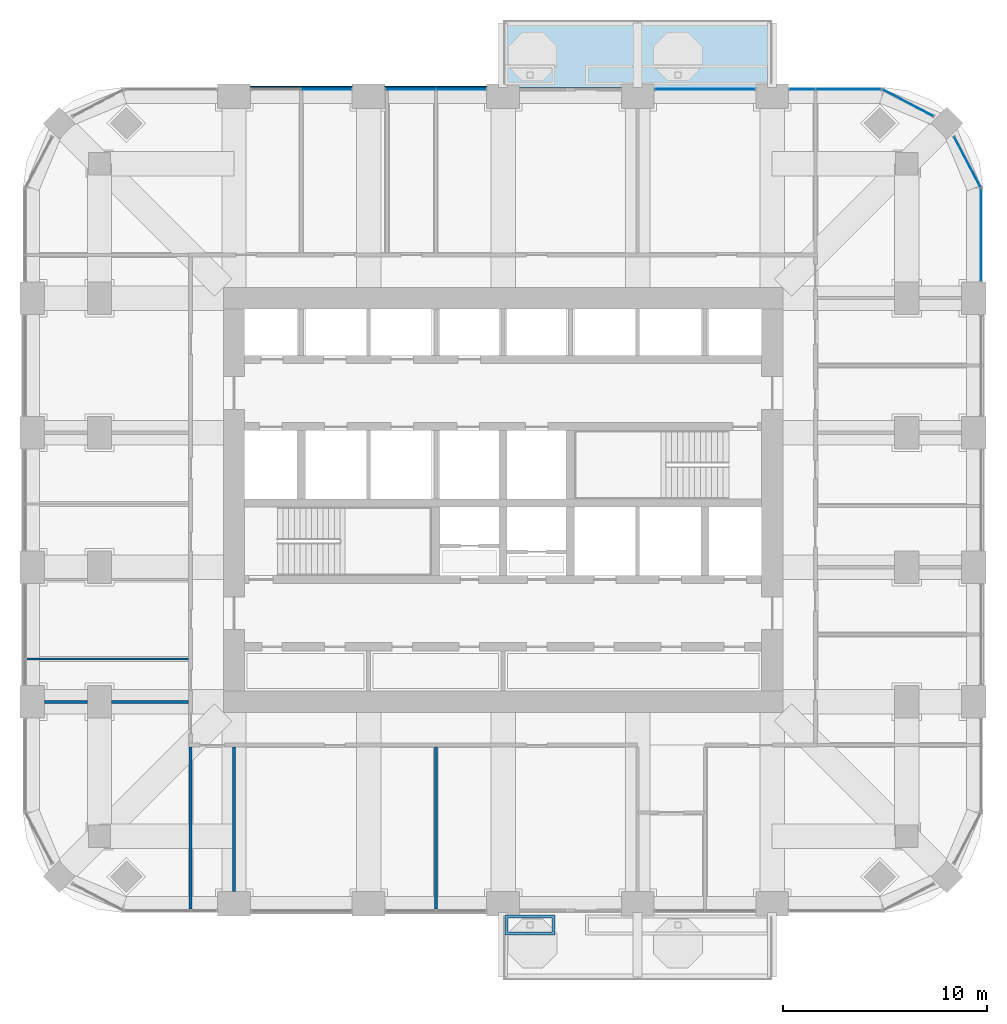
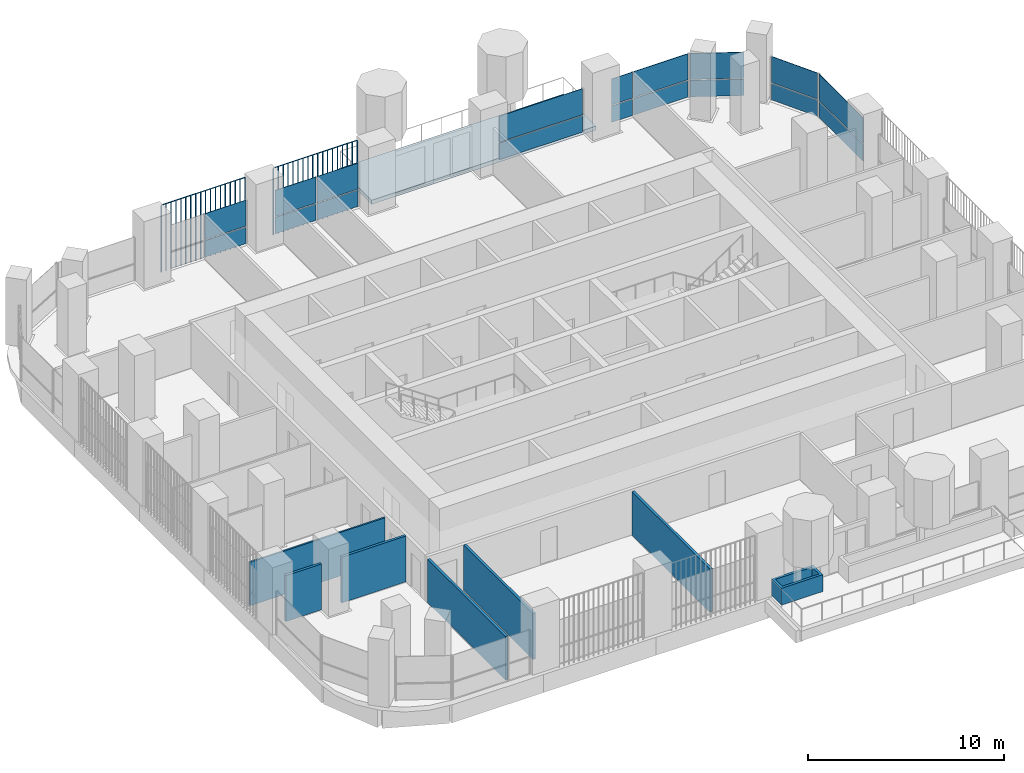
# One storey, part 12 of 20: 20 plates, 7 walls, 1 slab, 7 elements without a shape of their own.
"""IFC4 building model written with IfcOpenShell, lengths in metres."""

from ifc_helpers import new_model, si_unit, direction, frame, frame_2d, origin, origin_2d, place, context, subcontext, project, spatial, polyline, rectangle, outline, extrude, material, layer, layer_set, type_object, element, aggregate, save


model = new_model("IFC4")

# Units and contexts
model_context = context("Model", 3, precision=1e-05, world=origin(), true_north=direction((0.0, 1.0)))
body_context = subcontext(model_context, "Body", "Model", "MODEL_VIEW")
ifc_project = project(units=[si_unit("LENGTHUNIT", "METRE"), si_unit("AREAUNIT", "SQUARE_METRE"), si_unit("VOLUMEUNIT", "CUBIC_METRE"), si_unit("PLANEANGLEUNIT", "RADIAN"), si_unit("MASSUNIT", "GRAM", prefix="KILO")], contexts=[model_context])

# Site, building, storey
site_placement = place(None, origin())
site = spatial("IfcSite", under=ifc_project, at=site_placement, CompositionType="ELEMENT")
building_placement = place(site_placement, origin())
building = spatial("IfcBuilding", under=site, at=building_placement, Name="Cobogo Forest Laboratory Tower", CompositionType="ELEMENT")
storey_placement = place(building_placement, frame((0.0, 0.0, 180.89990234375)))
storey = spatial("IfcBuildingStorey", under=building, at=storey_placement, Name="L41", CompositionType="ELEMENT", Elevation=180.89990234375)

# Slab
ifc_material_1 = material(Name="Concrete HA-40 (C40/50)", Category="concrete")
ifc_layer_1 = layer(ifc_material_1, 0.25)
ifc_layer_set_1 = layer_set([ifc_layer_1], Name="Balcony slab 250")
slab_type = type_object("IfcSlabType", Name="Balcony slab 250", PredefinedType="FLOOR", material=ifc_layer_set_1)
slab_placement = place(storey_placement, frame((0.0, 0.0, -0.25)))
element("IfcSlab", 1, at=slab_placement, inside=storey, type_object=slab_type, Name="Balcony BAL-N1 L41", PredefinedType="FLOOR", context=body_context, shape_type="SweptSolid", body=[
    extrude(outline(polyline([(26.39990234375, 43.35009765625), (39.60009765625, 43.35009765625), (39.60009765625, 46.64990234375), (26.39990234375, 46.64990234375), (26.39990234375, 43.35009765625)])), origin(), (0.0, 0.0, 1.0), 0.25),
])

# Curtain wall, plates
ifc_material_2 = material(Name="Aluminium curtain wall", Category="aluminium")
curtain_wall_type = type_object("IfcCurtainWallType", Name="CW-2 unitised curtain wall, solar control glazing, laboratory floors zones C and D", PredefinedType="USERDEFINED", material=ifc_material_2)
curtain_wall_1_placement = place(storey_placement, origin())
curtain_wall_1 = element("IfcCurtainWall", 2, at=curtain_wall_1_placement, inside=storey, type_object=curtain_wall_type, Name="Curtain wall 13 L41", ObjectType="UNITISED CURTAIN WALL", PredefinedType="USERDEFINED")
ifc_material_3 = material(Name="Solar control insulated glass", Category="glass")
ifc_layer_2 = layer(ifc_material_3, 0.031982421875)
ifc_layer_set_2 = layer_set([ifc_layer_2], Name="GP-2 solar control glass unit 32")
plate_type_1 = type_object("IfcPlateType", Name="GP-2 solar control glass unit 32", PredefinedType="CURTAIN_PANEL", material=ifc_layer_set_2)
plate_1_placement = place(storey_placement, frame((49.85009765625, 36.10009765625, 0.0), z_axis=(0.0, 0.0, 1.0), x_axis=(0.0, 1.0, 0.0)))
plate_1 = element("IfcPlate", 3, at=plate_1_placement, type_object=plate_type_1, Name="CW-2 panel 1.1", PredefinedType="CURTAIN_PANEL", context=body_context, shape_type="SweptSolid", body=[
    extrude(rectangle(XDim=4.47998046875, YDim=0.031982421875, at=origin_2d()), origin(), (0.0, 0.0, 1.0), 1.02001953125),
])
plate_2_placement = place(storey_placement, frame((49.85009765625, 36.10009765625, 1.080078125), z_axis=(0.0, 0.0, 1.0), x_axis=(0.0, 1.0, 0.0)))
plate_2 = element("IfcPlate", 4, at=plate_2_placement, type_object=plate_type_1, Name="CW-2 panel 1.2", PredefinedType="CURTAIN_PANEL", context=body_context, shape_type="SweptSolid", body=[
    extrude(rectangle(XDim=4.47998046875, YDim=0.031982421875, at=origin_2d()), origin(), (0.0, 0.0, 1.0), 1.6201171875),
])
aggregate(curtain_wall_1, [plate_1, plate_2])

curtain_wall_2_placement = place(storey_placement, origin())
curtain_wall_2 = element("IfcCurtainWall", 5, at=curtain_wall_2_placement, inside=storey, type_object=curtain_wall_type, Name="Curtain wall 14 L41", ObjectType="UNITISED CURTAIN WALL", PredefinedType="USERDEFINED")
plate_3_placement = place(storey_placement, frame((49.181396484375, 39.675537109375, 0.0), z_axis=(0.0, 0.0, 1.0), x_axis=(-0.464283804832, 0.885686484356, 0.0)))
plate_3 = element("IfcPlate", 6, at=plate_3_placement, type_object=plate_type_1, Name="CW-2 panel 1.1", PredefinedType="CURTAIN_PANEL", context=body_context, shape_type="SweptSolid", body=[
    extrude(rectangle(XDim=2.76025390625, YDim=0.031982421875, at=origin_2d()), origin(), (0.0, 0.0, 1.0), 1.02001953125),
])
plate_4_placement = place(storey_placement, frame((49.181396484375, 39.675537109375, 1.080078125), z_axis=(0.0, 0.0, 1.0), x_axis=(-0.464283804832, 0.885686484356, 0.0)))
plate_4 = element("IfcPlate", 7, at=plate_4_placement, type_object=plate_type_1, Name="CW-2 panel 1.2", PredefinedType="CURTAIN_PANEL", context=body_context, shape_type="SweptSolid", body=[
    extrude(rectangle(XDim=2.76025390625, YDim=0.031982421875, at=origin_2d()), origin(), (0.0, 0.0, 1.0), 1.6201171875),
])
aggregate(curtain_wall_2, [plate_3, plate_4])

curtain_wall_3_placement = place(storey_placement, origin())
curtain_wall_3 = element("IfcCurtainWall", 8, at=curtain_wall_3_placement, inside=storey, type_object=curtain_wall_type, Name="Curtain wall 15 L41", ObjectType="UNITISED CURTAIN WALL", PredefinedType="USERDEFINED")
plate_5_placement = place(storey_placement, frame((46.275634765625, 42.581298828125, 0.0), z_axis=(0.0, 0.0, 1.0), x_axis=(-0.885686484356, 0.464283804832, 0.0)))
plate_5 = element("IfcPlate", 9, at=plate_5_placement, type_object=plate_type_1, Name="CW-2 panel 1.1", PredefinedType="CURTAIN_PANEL", context=body_context, shape_type="SweptSolid", body=[
    extrude(rectangle(XDim=2.76025390625, YDim=0.031982421875, at=origin_2d()), origin(), (0.0, 0.0, 1.0), 1.02001953125),
])
plate_6_placement = place(storey_placement, frame((46.275634765625, 42.581298828125, 1.080078125), z_axis=(0.0, 0.0, 1.0), x_axis=(-0.885686484356, 0.464283804832, 0.0)))
plate_6 = element("IfcPlate", 10, at=plate_6_placement, type_object=plate_type_1, Name="CW-2 panel 1.2", PredefinedType="CURTAIN_PANEL", context=body_context, shape_type="SweptSolid", body=[
    extrude(rectangle(XDim=2.76025390625, YDim=0.031982421875, at=origin_2d()), origin(), (0.0, 0.0, 1.0), 1.6201171875),
])
aggregate(curtain_wall_3, [plate_5, plate_6])

curtain_wall_4_placement = place(storey_placement, origin())
curtain_wall_4 = element("IfcCurtainWall", 11, at=curtain_wall_4_placement, inside=storey, type_object=curtain_wall_type, Name="Curtain wall 16 L41", ObjectType="UNITISED CURTAIN WALL", PredefinedType="USERDEFINED")
plate_7_placement = place(storey_placement, frame((43.347412109375, 43.25, 0.0), z_axis=(0.0, 0.0, 1.0), x_axis=(-1.0, 0.0, 0.0)))
plate_7 = element("IfcPlate", 12, at=plate_7_placement, type_object=plate_type_1, Name="CW-2 panel 1.1", PredefinedType="CURTAIN_PANEL", context=body_context, shape_type="SweptSolid", body=[
    extrude(rectangle(XDim=3.18505859375, YDim=0.031982421875, at=origin_2d()), origin(), (0.0, 0.0, 1.0), 1.02001953125),
])
plate_8_placement = place(storey_placement, frame((43.347412109375, 43.25, 1.080078125), z_axis=(0.0, 0.0, 1.0), x_axis=(-1.0, 0.0, 0.0)))
plate_8 = element("IfcPlate", 13, at=plate_8_placement, type_object=plate_type_1, Name="CW-2 panel 1.2", PredefinedType="CURTAIN_PANEL", context=body_context, shape_type="SweptSolid", body=[
    extrude(rectangle(XDim=3.18505859375, YDim=0.031982421875, at=origin_2d()), origin(), (0.0, 0.0, 1.0), 1.6201171875),
])
plate_9_placement = place(storey_placement, frame((41.077392578125, 43.25, 0.0), z_axis=(0.0, 0.0, 1.0), x_axis=(-1.0, 0.0, 0.0)))
plate_9 = element("IfcPlate", 14, at=plate_9_placement, type_object=plate_type_1, Name="CW-2 panel 2.1", PredefinedType="CURTAIN_PANEL", context=body_context, shape_type="SweptSolid", body=[
    extrude(rectangle(XDim=1.235107421875, YDim=0.031982421875, at=origin_2d()), origin(), (0.0, 0.0, 1.0), 1.02001953125),
])
plate_10_placement = place(storey_placement, frame((41.077392578125, 43.25, 1.080078125), z_axis=(0.0, 0.0, 1.0), x_axis=(-1.0, 0.0, 0.0)))
plate_10 = element("IfcPlate", 15, at=plate_10_placement, type_object=plate_type_1, Name="CW-2 panel 2.2", PredefinedType="CURTAIN_PANEL", context=body_context, shape_type="SweptSolid", body=[
    extrude(rectangle(XDim=1.235107421875, YDim=0.031982421875, at=origin_2d()), origin(), (0.0, 0.0, 1.0), 1.6201171875),
])
aggregate(curtain_wall_4, [plate_7, plate_8, plate_9, plate_10])

curtain_wall_5_placement = place(storey_placement, origin())
curtain_wall_5 = element("IfcCurtainWall", 16, at=curtain_wall_5_placement, inside=storey, type_object=curtain_wall_type, Name="Curtain wall 17 L41", ObjectType="UNITISED CURTAIN WALL", PredefinedType="USERDEFINED")
plate_11_placement = place(storey_placement, frame((36.300048828125, 43.25, 0.0), z_axis=(0.0, 0.0, 1.0), x_axis=(-1.0, 0.0, 0.0)))
plate_11 = element("IfcPlate", 17, at=plate_11_placement, type_object=plate_type_1, Name="CW-2 panel 1.1", PredefinedType="CURTAIN_PANEL", context=body_context, shape_type="SweptSolid", body=[
    extrude(rectangle(XDim=4.8798828125, YDim=0.031982421875, at=origin_2d()), origin(), (0.0, 0.0, 1.0), 1.02001953125),
])
plate_12_placement = place(storey_placement, frame((36.300048828125, 43.25, 1.080078125), z_axis=(0.0, 0.0, 1.0), x_axis=(-1.0, 0.0, 0.0)))
plate_12 = element("IfcPlate", 18, at=plate_12_placement, type_object=plate_type_1, Name="CW-2 panel 1.2", PredefinedType="CURTAIN_PANEL", context=body_context, shape_type="SweptSolid", body=[
    extrude(rectangle(XDim=4.8798828125, YDim=0.031982421875, at=origin_2d()), origin(), (0.0, 0.0, 1.0), 1.6201171875),
])
aggregate(curtain_wall_5, [plate_11, plate_12])

curtain_wall_6_placement = place(storey_placement, origin())
curtain_wall_6 = element("IfcCurtainWall", 19, at=curtain_wall_6_placement, inside=storey, type_object=curtain_wall_type, Name="Curtain wall 19 L41", ObjectType="UNITISED CURTAIN WALL", PredefinedType="USERDEFINED")
plate_13_placement = place(storey_placement, frame((24.3349609375, 43.25, 0.0), z_axis=(0.0, 0.0, 1.0), x_axis=(-1.0, 0.0, 0.0)))
plate_13 = element("IfcPlate", 20, at=plate_13_placement, type_object=plate_type_1, Name="CW-2 panel 1.1", PredefinedType="CURTAIN_PANEL", context=body_context, shape_type="SweptSolid", body=[
    extrude(rectangle(XDim=2.409912109375, YDim=0.031982421875, at=origin_2d()), origin(), (0.0, 0.0, 1.0), 1.02001953125),
])
plate_14_placement = place(storey_placement, frame((24.3349609375, 43.25, 1.080078125), z_axis=(0.0, 0.0, 1.0), x_axis=(-1.0, 0.0, 0.0)))
plate_14 = element("IfcPlate", 21, at=plate_14_placement, type_object=plate_type_1, Name="CW-2 panel 1.2", PredefinedType="CURTAIN_PANEL", context=body_context, shape_type="SweptSolid", body=[
    extrude(rectangle(XDim=2.409912109375, YDim=0.031982421875, at=origin_2d()), origin(), (0.0, 0.0, 1.0), 1.6201171875),
])
plate_15_placement = place(storey_placement, frame((21.864990234375, 43.25, 0.0), z_axis=(0.0, 0.0, 1.0), x_axis=(-1.0, 0.0, 0.0)))
plate_15 = element("IfcPlate", 22, at=plate_15_placement, type_object=plate_type_1, Name="CW-2 panel 2.1", PredefinedType="CURTAIN_PANEL", context=body_context, shape_type="SweptSolid", body=[
    extrude(rectangle(XDim=2.409912109375, YDim=0.031982421875, at=origin_2d()), origin(), (0.0, 0.0, 1.0), 1.02001953125),
])
plate_16_placement = place(storey_placement, frame((21.864990234375, 43.25, 1.080078125), z_axis=(0.0, 0.0, 1.0), x_axis=(-1.0, 0.0, 0.0)))
plate_16 = element("IfcPlate", 23, at=plate_16_placement, type_object=plate_type_1, Name="CW-2 panel 2.2", PredefinedType="CURTAIN_PANEL", context=body_context, shape_type="SweptSolid", body=[
    extrude(rectangle(XDim=2.409912109375, YDim=0.031982421875, at=origin_2d()), origin(), (0.0, 0.0, 1.0), 1.6201171875),
])
aggregate(curtain_wall_6, [plate_13, plate_14, plate_15, plate_16])

curtain_wall_7_placement = place(storey_placement, origin())
curtain_wall_7 = element("IfcCurtainWall", 24, at=curtain_wall_7_placement, inside=storey, type_object=curtain_wall_type, Name="Curtain wall 20 L41", ObjectType="UNITISED CURTAIN WALL", PredefinedType="USERDEFINED")
plate_17_placement = place(storey_placement, frame((17.735107421875, 43.25, 0.0), z_axis=(0.0, 0.0, 1.0), x_axis=(-1.0, 0.0, 0.0)))
plate_17 = element("IfcPlate", 25, at=plate_17_placement, type_object=plate_type_1, Name="CW-2 panel 1.1", PredefinedType="CURTAIN_PANEL", context=body_context, shape_type="SweptSolid", body=[
    extrude(rectangle(XDim=2.409912109375, YDim=0.031982421875, at=origin_2d()), origin(), (0.0, 0.0, 1.0), 1.02001953125),
])
plate_18_placement = place(storey_placement, frame((17.735107421875, 43.25, 1.080078125), z_axis=(0.0, 0.0, 1.0), x_axis=(-1.0, 0.0, 0.0)))
plate_18 = element("IfcPlate", 26, at=plate_18_placement, type_object=plate_type_1, Name="CW-2 panel 1.2", PredefinedType="CURTAIN_PANEL", context=body_context, shape_type="SweptSolid", body=[
    extrude(rectangle(XDim=2.409912109375, YDim=0.031982421875, at=origin_2d()), origin(), (0.0, 0.0, 1.0), 1.6201171875),
])
aggregate(curtain_wall_7, [plate_17, plate_18])

# Plates
ifc_material_4 = material(Name="Terracotta", Category="masonry")
plate_type_2 = type_object("IfcPlateType", Name="TB1 terracotta baguette screen", PredefinedType="USERDEFINED", material=ifc_material_4)
plate_19_placement = place(storey_placement, frame((14.03125, 43.3779296875, -0.14990234375)))
element("IfcPlate", 27, at=plate_19_placement, inside=storey, type_object=plate_type_2, Name="Baguette screen N1 L41", ObjectType="BAGUETTE SCREEN", PredefinedType="USERDEFINED", context=body_context, shape_type="SweptSolid", body=[
    extrude(outline(polyline([(0.02880859375, 0.011962890625), (0.011962890625, 0.02880859375), (-0.011962890625, 0.02880859375), (-0.02880859375, 0.011962890625), (-0.02880859375, -0.011962890625), (-0.011962890625, -0.02880859375), (0.011962890625, -0.02880859375), (0.02880859375, -0.011962890625), (0.02880859375, 0.011962890625)])), frame((0.0, 0.0, 4.168701171875), z_axis=(1.0, 0.0, 0.0), x_axis=(0.0, 1.0, 0.0)), (0.0, 0.0, 1.0), 4.9375),
    extrude(outline(polyline([(0.02880859375, 0.011962890625), (0.011962890625, 0.02880859375), (-0.011962890625, 0.02880859375), (-0.02880859375, 0.011962890625), (-0.02880859375, -0.011962890625), (-0.011962890625, -0.02880859375), (0.011962890625, -0.02880859375), (0.02880859375, -0.011962890625), (0.02880859375, 0.011962890625)])), origin(), (0.0, 0.0, 1.0), 4.137451171875),
    extrude(outline(polyline([(0.02880859375, 0.011962890625), (0.011962890625, 0.02880859375), (-0.011962890625, 0.02880859375), (-0.02880859375, 0.011962890625), (-0.02880859375, -0.011962890625), (-0.011962890625, -0.02880859375), (0.011962890625, -0.02880859375), (0.02880859375, -0.011962890625), (0.02880859375, 0.011962890625)])), frame((0.29052734375, 0.0, 0.0)), (0.0, 0.0, 1.0), 4.137451171875),
    extrude(outline(polyline([(0.02880859375, 0.011962890625), (0.011962890625, 0.02880859375), (-0.011962890625, 0.02880859375), (-0.02880859375, 0.011962890625), (-0.02880859375, -0.011962890625), (-0.011962890625, -0.02880859375), (0.011962890625, -0.02880859375), (0.02880859375, -0.011962890625), (0.02880859375, 0.011962890625)])), frame((0.580810546875, 0.0, 0.0)), (0.0, 0.0, 1.0), 4.137451171875),
    extrude(outline(polyline([(0.02880859375, 0.011962890625), (0.011962890625, 0.02880859375), (-0.011962890625, 0.02880859375), (-0.02880859375, 0.011962890625), (-0.02880859375, -0.011962890625), (-0.011962890625, -0.02880859375), (0.011962890625, -0.02880859375), (0.02880859375, -0.011962890625), (0.02880859375, 0.011962890625)])), frame((0.871337890625, 0.0, 0.0)), (0.0, 0.0, 1.0), 4.137451171875),
    extrude(outline(polyline([(0.02880859375, 0.011962890625), (0.011962890625, 0.02880859375), (-0.011962890625, 0.02880859375), (-0.02880859375, 0.011962890625), (-0.02880859375, -0.011962890625), (-0.011962890625, -0.02880859375), (0.011962890625, -0.02880859375), (0.02880859375, -0.011962890625), (0.02880859375, 0.011962890625)])), frame((1.161865234375, 0.0, 0.0)), (0.0, 0.0, 1.0), 4.137451171875),
    extrude(outline(polyline([(0.02880859375, 0.011962890625), (0.011962890625, 0.02880859375), (-0.011962890625, 0.02880859375), (-0.02880859375, 0.011962890625), (-0.02880859375, -0.011962890625), (-0.011962890625, -0.02880859375), (0.011962890625, -0.02880859375), (0.02880859375, -0.011962890625), (0.02880859375, 0.011962890625)])), frame((1.4521484375, 0.0, 0.0)), (0.0, 0.0, 1.0), 4.137451171875),
    extrude(outline(polyline([(0.02880859375, 0.011962890625), (0.011962890625, 0.02880859375), (-0.011962890625, 0.02880859375), (-0.02880859375, 0.011962890625), (-0.02880859375, -0.011962890625), (-0.011962890625, -0.02880859375), (0.011962890625, -0.02880859375), (0.02880859375, -0.011962890625), (0.02880859375, 0.011962890625)])), frame((1.74267578125, 0.0, 0.0)), (0.0, 0.0, 1.0), 4.137451171875),
    extrude(outline(polyline([(0.02880859375, 0.011962890625), (0.011962890625, 0.02880859375), (-0.011962890625, 0.02880859375), (-0.02880859375, 0.011962890625), (-0.02880859375, -0.011962890625), (-0.011962890625, -0.02880859375), (0.011962890625, -0.02880859375), (0.02880859375, -0.011962890625), (0.02880859375, 0.011962890625)])), frame((2.033203125, 0.0, 0.0)), (0.0, 0.0, 1.0), 4.137451171875),
    extrude(outline(polyline([(0.02880859375, 0.011962890625), (0.011962890625, 0.02880859375), (-0.011962890625, 0.02880859375), (-0.02880859375, 0.011962890625), (-0.02880859375, -0.011962890625), (-0.011962890625, -0.02880859375), (0.011962890625, -0.02880859375), (0.02880859375, -0.011962890625), (0.02880859375, 0.011962890625)])), frame((2.323486328125, 0.0, 0.0)), (0.0, 0.0, 1.0), 4.137451171875),
    extrude(outline(polyline([(0.02880859375, 0.011962890625), (0.011962890625, 0.02880859375), (-0.011962890625, 0.02880859375), (-0.02880859375, 0.011962890625), (-0.02880859375, -0.011962890625), (-0.011962890625, -0.02880859375), (0.011962890625, -0.02880859375), (0.02880859375, -0.011962890625), (0.02880859375, 0.011962890625)])), frame((2.614013671875, 0.0, 0.0)), (0.0, 0.0, 1.0), 4.137451171875),
    extrude(outline(polyline([(0.02880859375, 0.011962890625), (0.011962890625, 0.02880859375), (-0.011962890625, 0.02880859375), (-0.02880859375, 0.011962890625), (-0.02880859375, -0.011962890625), (-0.011962890625, -0.02880859375), (0.011962890625, -0.02880859375), (0.02880859375, -0.011962890625), (0.02880859375, 0.011962890625)])), frame((2.904296875, 0.0, 0.0)), (0.0, 0.0, 1.0), 4.137451171875),
    extrude(outline(polyline([(0.02880859375, 0.011962890625), (0.011962890625, 0.02880859375), (-0.011962890625, 0.02880859375), (-0.02880859375, 0.011962890625), (-0.02880859375, -0.011962890625), (-0.011962890625, -0.02880859375), (0.011962890625, -0.02880859375), (0.02880859375, -0.011962890625), (0.02880859375, 0.011962890625)])), frame((3.19482421875, 0.0, 0.0)), (0.0, 0.0, 1.0), 4.137451171875),
    extrude(outline(polyline([(0.02880859375, 0.011962890625), (0.011962890625, 0.02880859375), (-0.011962890625, 0.02880859375), (-0.02880859375, 0.011962890625), (-0.02880859375, -0.011962890625), (-0.011962890625, -0.02880859375), (0.011962890625, -0.02880859375), (0.02880859375, -0.011962890625), (0.02880859375, 0.011962890625)])), frame((3.4853515625, 0.0, 0.0)), (0.0, 0.0, 1.0), 4.137451171875),
    extrude(outline(polyline([(0.02880859375, 0.011962890625), (0.011962890625, 0.02880859375), (-0.011962890625, 0.02880859375), (-0.02880859375, 0.011962890625), (-0.02880859375, -0.011962890625), (-0.011962890625, -0.02880859375), (0.011962890625, -0.02880859375), (0.02880859375, -0.011962890625), (0.02880859375, 0.011962890625)])), frame((3.775634765625, 0.0, 0.0)), (0.0, 0.0, 1.0), 4.137451171875),
    extrude(outline(polyline([(0.02880859375, 0.011962890625), (0.011962890625, 0.02880859375), (-0.011962890625, 0.02880859375), (-0.02880859375, 0.011962890625), (-0.02880859375, -0.011962890625), (-0.011962890625, -0.02880859375), (0.011962890625, -0.02880859375), (0.02880859375, -0.011962890625), (0.02880859375, 0.011962890625)])), frame((4.066162109375, 0.0, 0.0)), (0.0, 0.0, 1.0), 4.137451171875),
    extrude(outline(polyline([(0.02880859375, 0.011962890625), (0.011962890625, 0.02880859375), (-0.011962890625, 0.02880859375), (-0.02880859375, 0.011962890625), (-0.02880859375, -0.011962890625), (-0.011962890625, -0.02880859375), (0.011962890625, -0.02880859375), (0.02880859375, -0.011962890625), (0.02880859375, 0.011962890625)])), frame((4.356689453125, 0.0, 0.0)), (0.0, 0.0, 1.0), 4.137451171875),
    extrude(outline(polyline([(0.02880859375, 0.011962890625), (0.011962890625, 0.02880859375), (-0.011962890625, 0.02880859375), (-0.02880859375, 0.011962890625), (-0.02880859375, -0.011962890625), (-0.011962890625, -0.02880859375), (0.011962890625, -0.02880859375), (0.02880859375, -0.011962890625), (0.02880859375, 0.011962890625)])), frame((4.64697265625, 0.0, 0.0)), (0.0, 0.0, 1.0), 4.137451171875),
    extrude(outline(polyline([(0.02880859375, 0.011962890625), (0.011962890625, 0.02880859375), (-0.011962890625, 0.02880859375), (-0.02880859375, 0.011962890625), (-0.02880859375, -0.011962890625), (-0.011962890625, -0.02880859375), (0.011962890625, -0.02880859375), (0.02880859375, -0.011962890625), (0.02880859375, 0.011962890625)])), frame((4.9375, 0.0, 0.0)), (0.0, 0.0, 1.0), 4.137451171875),
])
plate_20_placement = place(storey_placement, frame((20.63134765625, 43.3779296875, -0.14990234375)))
element("IfcPlate", 28, at=plate_20_placement, inside=storey, type_object=plate_type_2, Name="Baguette screen N2 L41", ObjectType="BAGUETTE SCREEN", PredefinedType="USERDEFINED", context=body_context, shape_type="SweptSolid", body=[
    extrude(outline(polyline([(0.02880859375, 0.011962890625), (0.011962890625, 0.02880859375), (-0.011962890625, 0.02880859375), (-0.02880859375, 0.011962890625), (-0.02880859375, -0.011962890625), (-0.011962890625, -0.02880859375), (0.011962890625, -0.02880859375), (0.02880859375, -0.011962890625), (0.02880859375, 0.011962890625)])), frame((0.0, 0.0, 4.168701171875), z_axis=(1.0, 0.0, 0.0), x_axis=(0.0, 1.0, 0.0)), (0.0, 0.0, 1.0), 4.9375),
    extrude(outline(polyline([(0.02880859375, 0.011962890625), (0.011962890625, 0.02880859375), (-0.011962890625, 0.02880859375), (-0.02880859375, 0.011962890625), (-0.02880859375, -0.011962890625), (-0.011962890625, -0.02880859375), (0.011962890625, -0.02880859375), (0.02880859375, -0.011962890625), (0.02880859375, 0.011962890625)])), origin(), (0.0, 0.0, 1.0), 4.137451171875),
    extrude(outline(polyline([(0.02880859375, 0.011962890625), (0.011962890625, 0.02880859375), (-0.011962890625, 0.02880859375), (-0.02880859375, 0.011962890625), (-0.02880859375, -0.011962890625), (-0.011962890625, -0.02880859375), (0.011962890625, -0.02880859375), (0.02880859375, -0.011962890625), (0.02880859375, 0.011962890625)])), frame((0.29052734375, 0.0, 0.0)), (0.0, 0.0, 1.0), 4.137451171875),
    extrude(outline(polyline([(0.02880859375, 0.011962890625), (0.011962890625, 0.02880859375), (-0.011962890625, 0.02880859375), (-0.02880859375, 0.011962890625), (-0.02880859375, -0.011962890625), (-0.011962890625, -0.02880859375), (0.011962890625, -0.02880859375), (0.02880859375, -0.011962890625), (0.02880859375, 0.011962890625)])), frame((0.580810546875, 0.0, 0.0)), (0.0, 0.0, 1.0), 4.137451171875),
    extrude(outline(polyline([(0.02880859375, 0.011962890625), (0.011962890625, 0.02880859375), (-0.011962890625, 0.02880859375), (-0.02880859375, 0.011962890625), (-0.02880859375, -0.011962890625), (-0.011962890625, -0.02880859375), (0.011962890625, -0.02880859375), (0.02880859375, -0.011962890625), (0.02880859375, 0.011962890625)])), frame((0.871337890625, 0.0, 0.0)), (0.0, 0.0, 1.0), 4.137451171875),
    extrude(outline(polyline([(0.02880859375, 0.011962890625), (0.011962890625, 0.02880859375), (-0.011962890625, 0.02880859375), (-0.02880859375, 0.011962890625), (-0.02880859375, -0.011962890625), (-0.011962890625, -0.02880859375), (0.011962890625, -0.02880859375), (0.02880859375, -0.011962890625), (0.02880859375, 0.011962890625)])), frame((1.161865234375, 0.0, 0.0)), (0.0, 0.0, 1.0), 4.137451171875),
    extrude(outline(polyline([(0.02880859375, 0.011962890625), (0.011962890625, 0.02880859375), (-0.011962890625, 0.02880859375), (-0.02880859375, 0.011962890625), (-0.02880859375, -0.011962890625), (-0.011962890625, -0.02880859375), (0.011962890625, -0.02880859375), (0.02880859375, -0.011962890625), (0.02880859375, 0.011962890625)])), frame((1.4521484375, 0.0, 0.0)), (0.0, 0.0, 1.0), 4.137451171875),
    extrude(outline(polyline([(0.02880859375, 0.011962890625), (0.011962890625, 0.02880859375), (-0.011962890625, 0.02880859375), (-0.02880859375, 0.011962890625), (-0.02880859375, -0.011962890625), (-0.011962890625, -0.02880859375), (0.011962890625, -0.02880859375), (0.02880859375, -0.011962890625), (0.02880859375, 0.011962890625)])), frame((1.74267578125, 0.0, 0.0)), (0.0, 0.0, 1.0), 4.137451171875),
    extrude(outline(polyline([(0.02880859375, 0.011962890625), (0.011962890625, 0.02880859375), (-0.011962890625, 0.02880859375), (-0.02880859375, 0.011962890625), (-0.02880859375, -0.011962890625), (-0.011962890625, -0.02880859375), (0.011962890625, -0.02880859375), (0.02880859375, -0.011962890625), (0.02880859375, 0.011962890625)])), frame((2.033203125, 0.0, 0.0)), (0.0, 0.0, 1.0), 4.137451171875),
    extrude(outline(polyline([(0.02880859375, 0.011962890625), (0.011962890625, 0.02880859375), (-0.011962890625, 0.02880859375), (-0.02880859375, 0.011962890625), (-0.02880859375, -0.011962890625), (-0.011962890625, -0.02880859375), (0.011962890625, -0.02880859375), (0.02880859375, -0.011962890625), (0.02880859375, 0.011962890625)])), frame((2.323486328125, 0.0, 0.0)), (0.0, 0.0, 1.0), 4.137451171875),
    extrude(outline(polyline([(0.02880859375, 0.011962890625), (0.011962890625, 0.02880859375), (-0.011962890625, 0.02880859375), (-0.02880859375, 0.011962890625), (-0.02880859375, -0.011962890625), (-0.011962890625, -0.02880859375), (0.011962890625, -0.02880859375), (0.02880859375, -0.011962890625), (0.02880859375, 0.011962890625)])), frame((2.614013671875, 0.0, 0.0)), (0.0, 0.0, 1.0), 4.137451171875),
    extrude(outline(polyline([(0.02880859375, 0.011962890625), (0.011962890625, 0.02880859375), (-0.011962890625, 0.02880859375), (-0.02880859375, 0.011962890625), (-0.02880859375, -0.011962890625), (-0.011962890625, -0.02880859375), (0.011962890625, -0.02880859375), (0.02880859375, -0.011962890625), (0.02880859375, 0.011962890625)])), frame((2.904296875, 0.0, 0.0)), (0.0, 0.0, 1.0), 4.137451171875),
    extrude(outline(polyline([(0.02880859375, 0.011962890625), (0.011962890625, 0.02880859375), (-0.011962890625, 0.02880859375), (-0.02880859375, 0.011962890625), (-0.02880859375, -0.011962890625), (-0.011962890625, -0.02880859375), (0.011962890625, -0.02880859375), (0.02880859375, -0.011962890625), (0.02880859375, 0.011962890625)])), frame((3.19482421875, 0.0, 0.0)), (0.0, 0.0, 1.0), 4.137451171875),
    extrude(outline(polyline([(0.02880859375, 0.011962890625), (0.011962890625, 0.02880859375), (-0.011962890625, 0.02880859375), (-0.02880859375, 0.011962890625), (-0.02880859375, -0.011962890625), (-0.011962890625, -0.02880859375), (0.011962890625, -0.02880859375), (0.02880859375, -0.011962890625), (0.02880859375, 0.011962890625)])), frame((3.4853515625, 0.0, 0.0)), (0.0, 0.0, 1.0), 4.137451171875),
    extrude(outline(polyline([(0.02880859375, 0.011962890625), (0.011962890625, 0.02880859375), (-0.011962890625, 0.02880859375), (-0.02880859375, 0.011962890625), (-0.02880859375, -0.011962890625), (-0.011962890625, -0.02880859375), (0.011962890625, -0.02880859375), (0.02880859375, -0.011962890625), (0.02880859375, 0.011962890625)])), frame((3.775634765625, 0.0, 0.0)), (0.0, 0.0, 1.0), 4.137451171875),
    extrude(outline(polyline([(0.02880859375, 0.011962890625), (0.011962890625, 0.02880859375), (-0.011962890625, 0.02880859375), (-0.02880859375, 0.011962890625), (-0.02880859375, -0.011962890625), (-0.011962890625, -0.02880859375), (0.011962890625, -0.02880859375), (0.02880859375, -0.011962890625), (0.02880859375, 0.011962890625)])), frame((4.066162109375, 0.0, 0.0)), (0.0, 0.0, 1.0), 4.137451171875),
    extrude(outline(polyline([(0.02880859375, 0.011962890625), (0.011962890625, 0.02880859375), (-0.011962890625, 0.02880859375), (-0.02880859375, 0.011962890625), (-0.02880859375, -0.011962890625), (-0.011962890625, -0.02880859375), (0.011962890625, -0.02880859375), (0.02880859375, -0.011962890625), (0.02880859375, 0.011962890625)])), frame((4.356689453125, 0.0, 0.0)), (0.0, 0.0, 1.0), 4.137451171875),
    extrude(outline(polyline([(0.02880859375, 0.011962890625), (0.011962890625, 0.02880859375), (-0.011962890625, 0.02880859375), (-0.02880859375, 0.011962890625), (-0.02880859375, -0.011962890625), (-0.011962890625, -0.02880859375), (0.011962890625, -0.02880859375), (0.02880859375, -0.011962890625), (0.02880859375, 0.011962890625)])), frame((4.64697265625, 0.0, 0.0)), (0.0, 0.0, 1.0), 4.137451171875),
    extrude(outline(polyline([(0.02880859375, 0.011962890625), (0.011962890625, 0.02880859375), (-0.011962890625, 0.02880859375), (-0.02880859375, 0.011962890625), (-0.02880859375, -0.011962890625), (-0.011962890625, -0.02880859375), (0.011962890625, -0.02880859375), (0.02880859375, -0.011962890625), (0.02880859375, 0.011962890625)])), frame((4.9375, 0.0, 0.0)), (0.0, 0.0, 1.0), 4.137451171875),
])

# Walls
ifc_material_5 = material(Name="Gypsum board on steel studs", Category="steel")
ifc_layer_3 = layer(ifc_material_5, 0.14990234375)
ifc_layer_set_3 = layer_set([ifc_layer_3], Name="PT1 laboratory partition 150")
wall_type_1 = type_object("IfcWallType", Name="PT1 laboratory partition 150", PredefinedType="PARTITIONING", material=ifc_layer_set_3)
wall_1_placement = place(storey_placement, frame((11.074951171875, 3.030029296875, 0.0), z_axis=(0.0, 0.0, 1.0), x_axis=(0.0, 1.0, 0.0)))
element("IfcWall", 29, at=wall_1_placement, inside=storey, type_object=wall_type_1, Name="Partition PW-SW L41", PredefinedType="PARTITIONING", context=body_context, shape_type="SweptSolid", body=[
    extrude(rectangle(XDim=7.945068359375, YDim=0.14990234375, at=frame_2d((3.97265625, 0.0))), origin(), (0.0, 0.0, 1.0), 2.7001953125),
])
wall_2_placement = place(storey_placement, frame((13.199951171875, 3.89990234375, 0.0), z_axis=(0.0, 0.0, 1.0), x_axis=(0.0, 1.0, 0.0)))
element("IfcWall", 30, at=wall_2_placement, inside=storey, type_object=wall_type_1, Name="Partition CUT-S13.2-1 L41", PredefinedType="PARTITIONING", context=body_context, shape_type="SweptSolid", body=[
    extrude(rectangle(XDim=7.0751953125, YDim=0.14990234375, at=frame_2d((3.53759765625, 0.0))), origin(), (0.0, 0.0, 1.0), 2.85009765625),
])
wall_3_placement = place(storey_placement, frame((23.10009765625, 3.030029296875, 0.0), z_axis=(0.0, 0.0, 1.0), x_axis=(0.0, 1.0, 0.0)))
element("IfcWall", 31, at=wall_3_placement, inside=storey, type_object=wall_type_1, Name="Partition CUT-S23.1-1 L41", PredefinedType="PARTITIONING", context=body_context, shape_type="SweptSolid", body=[
    extrude(rectangle(XDim=7.945068359375, YDim=0.14990234375, at=frame_2d((3.97265625, 0.0))), origin(), (0.0, 0.0, 1.0), 2.7001953125),
])
wall_4_placement = place(storey_placement, frame((3.89990234375, 13.199951171875, 0.0), z_axis=(0.0, 0.0, 1.0), x_axis=(1.0, 0.0, 0.0)))
element("IfcWall", 32, at=wall_4_placement, inside=storey, type_object=wall_type_1, Name="Partition CUT-W13.2-1 L41", PredefinedType="PARTITIONING", context=body_context, shape_type="SweptSolid", body=[
    extrude(rectangle(XDim=2.10009765625, YDim=0.14990234375, at=frame_2d((1.050048828125, 0.0))), origin(), (0.0, 0.0, 1.0), 2.85009765625),
])
wall_5_placement = place(storey_placement, frame((7.199951171875, 13.199951171875, 0.0), z_axis=(0.0, 0.0, 1.0), x_axis=(1.0, 0.0, 0.0)))
element("IfcWall", 33, at=wall_5_placement, inside=storey, type_object=wall_type_1, Name="Partition CUT-W13.2-2 L41", PredefinedType="PARTITIONING", context=body_context, shape_type="SweptSolid", body=[
    extrude(rectangle(XDim=3.775146484375, YDim=0.14990234375, at=frame_2d((1.8876953125, 0.0))), origin(), (0.0, 0.0, 1.0), 2.85009765625),
])
ifc_layer_4 = layer(ifc_material_5, 0.10009765625)
ifc_layer_set_4 = layer_set([ifc_layer_4], Name="PT3 toilet partition 100")
wall_type_2 = type_object("IfcWallType", Name="PT3 toilet partition 100", PredefinedType="PARTITIONING", material=ifc_layer_set_4)
wall_6_placement = place(storey_placement, frame((3.030029296875, 15.300048828125, 0.0), z_axis=(0.0, 0.0, 1.0), x_axis=(1.0, 0.0, 0.0)))
element("IfcWall", 34, at=wall_6_placement, inside=storey, type_object=wall_type_2, Name="Partition SVC-W1-1 L41", PredefinedType="PARTITIONING", context=body_context, shape_type="SweptSolid", body=[
    extrude(rectangle(XDim=7.945068359375, YDim=0.10009765625, at=frame_2d((3.97265625, 0.0))), origin(), (0.0, 0.0, 1.0), 2.7001953125),
])
ifc_layer_5 = layer(ifc_material_1, 0.14990234375)
ifc_layer_set_5 = layer_set([ifc_layer_5], Name="Planter box 1000x1050")
wall_type_3 = type_object("IfcWallType", Name="Planter box 1000x1050", PredefinedType="USERDEFINED", material=ifc_layer_set_5)
wall_7_placement = place(storey_placement, origin())
element("IfcWall", 35, at=wall_7_placement, inside=storey, type_object=wall_type_3, Name="Planter BAL-S1-1 L41", ObjectType="PLANTER", PredefinedType="USERDEFINED", context=body_context, shape_type="SweptSolid", body=[
    extrude(outline(polyline([(26.5, 1.75), (28.949951171875, 1.75), (28.949951171875, 2.75), (26.5, 2.75), (26.5, 1.75)]), holes=[polyline([(26.64990234375, 1.89990234375), (28.800048828125, 1.89990234375), (28.800048828125, 2.60009765625), (26.64990234375, 2.60009765625), (26.64990234375, 1.89990234375)])]), origin(), (0.0, 0.0, 1.0), 1.050048828125),
])

save(model, "model.ifc")
